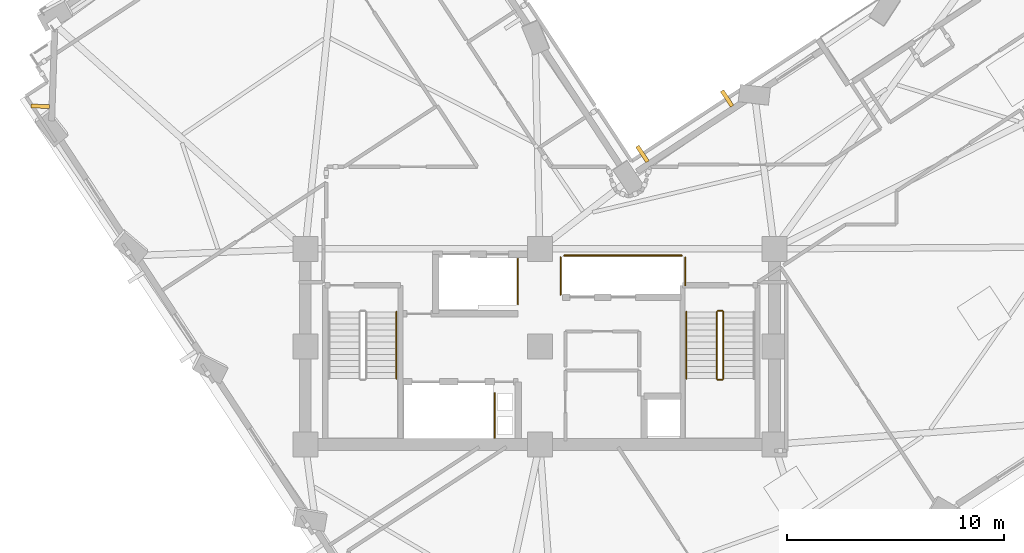
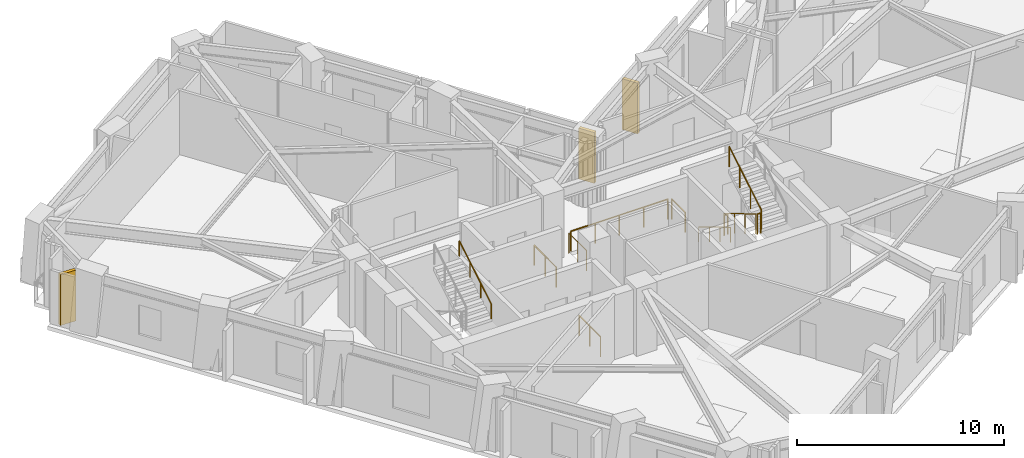
# One storey, part 11 of 14: 11 railings, 3 shading devices.
"""IFC4 building model written with IfcOpenShell, lengths in metres."""

from ifc_helpers import new_model, si_unit, direction, frame, origin, origin_2d, place, context, subcontext, project, spatial, rectangle, circle, extrude, material, type_object, element, save


model = new_model("IFC4")

# Units and contexts
model_context = context("Model", 3, precision=1e-05, world=origin(), true_north=direction((0.0, 1.0)))
body_context = subcontext(model_context, "Body", "Model", "MODEL_VIEW")
ifc_project = project(units=[si_unit("LENGTHUNIT", "METRE"), si_unit("AREAUNIT", "SQUARE_METRE"), si_unit("VOLUMEUNIT", "CUBIC_METRE"), si_unit("PLANEANGLEUNIT", "RADIAN"), si_unit("MASSUNIT", "GRAM", prefix="KILO")], contexts=[model_context])

# Site, building, storey
site_placement = place(None, origin())
site = spatial("IfcSite", under=ifc_project, at=site_placement, CompositionType="ELEMENT")
building_placement = place(site_placement, origin())
building = spatial("IfcBuilding", under=site, at=building_placement, Name="Gaonmaruhae Medical Tower", CompositionType="ELEMENT")
storey_placement = place(building_placement, frame((0.0, 0.0, 165.800048828125)))
storey = spatial("IfcBuildingStorey", under=building, at=storey_placement, Name="L39", CompositionType="ELEMENT", Elevation=165.800048828125)

# Railings
ifc_material_1 = material(Name="Stainless steel 304 handrail", Category="steel")
railing_type_1 = type_object("IfcRailingType", Name="HR-092 Continuous Stainless Steel Stair Handrail", PredefinedType="HANDRAIL", material=ifc_material_1)
railing_1_placement = place(storey_placement, frame((18.199951171875, 10.820068359375, 2.16650390625)))
element("IfcRailing", 1, at=railing_1_placement, inside=storey, type_object=railing_type_1, Name="L39 ST-01 stair handrail 2", PredefinedType="HANDRAIL", context=body_context, shape_type="SweptSolid", body=[
    extrude(circle(Radius=0.02392578125, at=origin_2d()), frame((0.0, 0.0, 0.8759765625), z_axis=(0.0, 0.859260807169, 0.511537745687), x_axis=(-1.0, 0.0, 0.0)), (0.0, 0.0, 1.0), 3.584228515625),
    extrude(circle(Radius=0.02099609375, at=origin_2d()), origin(), (0.0, 0.0, 1.0), 0.851806640625),
    extrude(circle(Radius=0.02099609375, at=origin_2d()), frame((0.0, 1.026611328125, 0.611083984375)), (0.0, 0.0, 1.0), 0.851806640625),
    extrude(circle(Radius=0.02099609375, at=origin_2d()), frame((0.0, 2.05322265625, 1.222412109375)), (0.0, 0.0, 1.0), 0.851806640625),
    extrude(circle(Radius=0.02099609375, at=origin_2d()), frame((0.0, 3.079833984375, 1.83349609375)), (0.0, 0.0, 1.0), 0.851806640625),
])
railing_2_placement = place(storey_placement, frame((31.550048828125, 13.89990234375, 0.16650390625)))
element("IfcRailing", 2, at=railing_2_placement, inside=storey, type_object=railing_type_1, Name="L39 ST-02 stair handrail 1", PredefinedType="HANDRAIL", context=body_context, shape_type="SweptSolid", body=[
    extrude(circle(Radius=0.02392578125, at=origin_2d()), frame((0.0, 0.0, 0.8759765625), z_axis=(0.0, -0.859260807169, 0.511537745687), x_axis=(1.0, 0.0, 0.0)), (0.0, 0.0, 1.0), 3.584228515625),
    extrude(circle(Radius=0.02099609375, at=origin_2d()), origin(), (0.0, 0.0, 1.0), 0.851806640625),
    extrude(circle(Radius=0.02099609375, at=origin_2d()), frame((0.0, -1.026611328125, 0.611083984375)), (0.0, 0.0, 1.0), 0.851806640625),
    extrude(circle(Radius=0.02099609375, at=origin_2d()), frame((0.0, -2.05322265625, 1.222412109375)), (0.0, 0.0, 1.0), 0.851806640625),
    extrude(circle(Radius=0.02099609375, at=origin_2d()), frame((0.0, -3.079833984375, 1.83349609375)), (0.0, 0.0, 1.0), 0.851806640625),
])

# Shading devices
ifc_material_2 = material(Name="Pigmented coral precast concrete C45/55", Category="concrete")
shading_device_type = type_object("IfcShadingDeviceType", Name="SD-FIN1 Tower Vertical Coral Precast Shading Fin", PredefinedType="USERDEFINED", material=ifc_material_2)
for number, where, z_axis, x_axis, name in (
    (3, (29.529541015625, 21.168701171875, 0.08251953125), (0.0, 0.0, 1.0), (0.836286155848, 0.54829322952, 0.0), "L39 Vertical Coral Precast Shading Fin EN03"),
    (4, (33.4267578125, 23.723876953125, 0.08251953125), (0.0, 0.0, 1.0), (0.836286155848, 0.54829322952, 0.0), "L39 Vertical Coral Precast Shading Fin EN03B"),
    (5, (1.795654296875, 23.365966796875, 0.08251953125), (0.0, 0.0, 1.0), (0.034341326154, 0.999410162705, 0.0), "L39 Vertical Coral Precast Shading Fin N03"),
):
    element("IfcShadingDevice", number, at=place(storey_placement, frame(where, z_axis=z_axis, x_axis=x_axis)), inside=storey, type_object=shading_device_type, Name=name, ObjectType="FIN", PredefinedType="USERDEFINED", context=body_context, shape_type="SweptSolid", body=[
        extrude(rectangle(XDim=0.179931640625, YDim=0.85009765625, at=origin_2d()), origin(), (0.0, 0.0, 1.0), 3.0),
    ])

# Railings
ifc_material_3 = material(Name="Stainless steel 304 balustrade", Category="steel")
railing_type_2 = type_object("IfcRailingType", Name="SG-112 Stair Well & Ramp Void Safety Balustrade", PredefinedType="BALUSTRADE", material=ifc_material_3)
railing_3_placement = place(storey_placement, frame((32.949951171875, 13.89990234375, 0.16650390625)))
element("IfcRailing", 6, at=railing_3_placement, inside=storey, type_object=railing_type_2, Name="L39 ST-02 stair guard 1", PredefinedType="BALUSTRADE", context=body_context, shape_type="SweptSolid", body=[
    extrude(circle(Radius=0.02392578125, at=origin_2d()), frame((0.0, 0.0, 1.17578125), z_axis=(0.0, -0.859260807169, 0.511537745687), x_axis=(1.0, 0.0, 0.0)), (0.0, 0.0, 1.0), 3.584228515625),
    extrude(circle(Radius=0.02099609375, at=origin_2d()), origin(), (0.0, 0.0, 1.0), 1.15185546875),
    extrude(circle(Radius=0.02099609375, at=origin_2d()), frame((0.0, -1.026611328125, 0.611083984375)), (0.0, 0.0, 1.0), 1.15185546875),
    extrude(circle(Radius=0.02099609375, at=origin_2d()), frame((0.0, -2.05322265625, 1.222412109375)), (0.0, 0.0, 1.0), 1.15185546875),
    extrude(circle(Radius=0.02099609375, at=origin_2d()), frame((0.0, -3.079833984375, 1.83349609375)), (0.0, 0.0, 1.0), 1.15185546875),
])
railing_4_placement = place(storey_placement, frame((33.0, 10.77001953125, 2.0)))
element("IfcRailing", 7, at=railing_4_placement, inside=storey, type_object=railing_type_2, Name="L39 ST-02 stair guard 2", PredefinedType="BALUSTRADE", context=body_context, shape_type="SweptSolid", body=[
    extrude(circle(Radius=0.02392578125, at=origin_2d()), frame((0.0, 0.0, 1.17578125), z_axis=(1.0, 0.0, 0.0), x_axis=(0.0, 1.0, 0.0)), (0.0, 0.0, 1.0), 0.199951171875),
    extrude(circle(Radius=0.02099609375, at=origin_2d()), origin(), (0.0, 0.0, 1.0), 1.15185546875),
    extrude(circle(Radius=0.02099609375, at=origin_2d()), frame((0.199951171875, 0.0, 0.0)), (0.0, 0.0, 1.0), 1.15185546875),
])
railing_5_placement = place(storey_placement, frame((33.25, 10.820068359375, 2.16650390625)))
element("IfcRailing", 8, at=railing_5_placement, inside=storey, type_object=railing_type_2, Name="L39 ST-02 stair guard 3", PredefinedType="BALUSTRADE", context=body_context, shape_type="SweptSolid", body=[
    extrude(circle(Radius=0.02392578125, at=origin_2d()), frame((0.0, 0.0, 1.17578125), z_axis=(0.0, 0.859260807169, 0.511537745687), x_axis=(-1.0, 0.0, 0.0)), (0.0, 0.0, 1.0), 3.584228515625),
    extrude(circle(Radius=0.02099609375, at=origin_2d()), origin(), (0.0, 0.0, 1.0), 1.15185546875),
    extrude(circle(Radius=0.02099609375, at=origin_2d()), frame((0.0, 1.026611328125, 0.611083984375)), (0.0, 0.0, 1.0), 1.15185546875),
    extrude(circle(Radius=0.02099609375, at=origin_2d()), frame((0.0, 2.05322265625, 1.222412109375)), (0.0, 0.0, 1.0), 1.15185546875),
    extrude(circle(Radius=0.02099609375, at=origin_2d()), frame((0.0, 3.079833984375, 1.83349609375)), (0.0, 0.0, 1.0), 1.15185546875),
])
railing_6_placement = place(storey_placement, frame((33.0, 13.949951171875, 0.0)))
element("IfcRailing", 9, at=railing_6_placement, inside=storey, type_object=railing_type_2, Name="L39 ST-02 stair guard 4", PredefinedType="BALUSTRADE", context=body_context, shape_type="SweptSolid", body=[
    extrude(circle(Radius=0.02392578125, at=origin_2d()), frame((0.0, 0.0, 1.17578125), z_axis=(1.0, 0.0, 0.0), x_axis=(0.0, 1.0, 0.0)), (0.0, 0.0, 1.0), 0.199951171875),
    extrude(circle(Radius=0.02099609375, at=origin_2d()), origin(), (0.0, 0.0, 1.0), 1.15185546875),
    extrude(circle(Radius=0.02099609375, at=origin_2d()), frame((0.199951171875, 0.0, 0.0)), (0.0, 0.0, 1.0), 1.15185546875),
])
railing_7_placement = place(storey_placement, frame((22.719970703125, 10.159912109375, 0.0)))
element("IfcRailing", 10, at=railing_7_placement, inside=storey, type_object=railing_type_2, Name="L39 Shaft Edge Safety Guard 10", PredefinedType="BALUSTRADE", context=body_context, shape_type="SweptSolid", body=[
    extrude(circle(Radius=0.02392578125, at=origin_2d()), frame((0.0, 0.0, 1.17578125), z_axis=(0.0, -1.0, 0.0), x_axis=(1.0, 0.0, 0.0)), (0.0, 0.0, 1.0), 2.06494140625),
    extrude(circle(Radius=0.02099609375, at=origin_2d()), origin(), (0.0, 0.0, 1.0), 1.15185546875),
    extrude(circle(Radius=0.02099609375, at=origin_2d()), frame((0.0, -1.032470703125, 0.0)), (0.0, 0.0, 1.0), 1.15185546875),
    extrude(circle(Radius=0.02099609375, at=origin_2d()), frame((0.0, -2.06494140625, 0.0)), (0.0, 0.0, 1.0), 1.15185546875),
])
railing_8_placement = place(storey_placement, frame((23.794921875, 16.35498046875, 0.0)))
element("IfcRailing", 11, at=railing_8_placement, inside=storey, type_object=railing_type_2, Name="L39 Shaft Edge Safety Guard 11", PredefinedType="BALUSTRADE", context=body_context, shape_type="SweptSolid", body=[
    extrude(circle(Radius=0.02392578125, at=origin_2d()), frame((0.0, 0.0, 1.17578125), z_axis=(0.0, -1.0, 0.0), x_axis=(1.0, 0.0, 0.0)), (0.0, 0.0, 1.0), 2.10986328125),
    extrude(circle(Radius=0.02099609375, at=origin_2d()), origin(), (0.0, 0.0, 1.0), 1.15185546875),
    extrude(circle(Radius=0.02099609375, at=origin_2d()), frame((0.0, -1.054931640625, 0.0)), (0.0, 0.0, 1.0), 1.15185546875),
    extrude(circle(Radius=0.02099609375, at=origin_2d()), frame((0.0, -2.10986328125, 0.0)), (0.0, 0.0, 1.0), 1.15185546875),
])
railing_9_placement = place(storey_placement, frame((31.4951171875, 16.405029296875, 0.0)))
element("IfcRailing", 12, at=railing_9_placement, inside=storey, type_object=railing_type_2, Name="L39 Shaft Edge Safety Guard 12", PredefinedType="BALUSTRADE", context=body_context, shape_type="SweptSolid", body=[
    extrude(circle(Radius=0.02392578125, at=origin_2d()), frame((0.0, 0.0, 1.17578125), z_axis=(0.0, -1.0, 0.0), x_axis=(1.0, 0.0, 0.0)), (0.0, 0.0, 1.0), 1.284912109375),
    extrude(circle(Radius=0.02099609375, at=origin_2d()), origin(), (0.0, 0.0, 1.0), 1.15185546875),
    extrude(circle(Radius=0.02099609375, at=origin_2d()), frame((0.0, -1.284912109375, 0.0)), (0.0, 0.0, 1.0), 1.15185546875),
])
railing_10_placement = place(storey_placement, frame((25.7548828125, 14.695068359375, 0.0)))
element("IfcRailing", 13, at=railing_10_placement, inside=storey, type_object=railing_type_2, Name="L39 Shaft Edge Safety Guard 13", PredefinedType="BALUSTRADE", context=body_context, shape_type="SweptSolid", body=[
    extrude(circle(Radius=0.02392578125, at=origin_2d()), frame((0.0, 0.0, 1.17578125), z_axis=(0.0, 1.0, 0.0), x_axis=(-1.0, 0.0, 0.0)), (0.0, 0.0, 1.0), 1.7099609375),
    extrude(circle(Radius=0.02099609375, at=origin_2d()), origin(), (0.0, 0.0, 1.0), 1.15185546875),
    extrude(circle(Radius=0.02099609375, at=origin_2d()), frame((0.0, 0.85498046875, 0.0)), (0.0, 0.0, 1.0), 1.15185546875),
    extrude(circle(Radius=0.02099609375, at=origin_2d()), frame((0.0, 1.7099609375, 0.0)), (0.0, 0.0, 1.0), 1.15185546875),
])
railing_11_placement = place(storey_placement, frame((25.919921875, 16.4951171875, 0.0)))
element("IfcRailing", 14, at=railing_11_placement, inside=storey, type_object=railing_type_2, Name="L39 Shaft Edge Safety Guard 14", PredefinedType="BALUSTRADE", context=body_context, shape_type="SweptSolid", body=[
    extrude(circle(Radius=0.02392578125, at=origin_2d()), frame((0.0, 0.0, 1.17578125), z_axis=(1.0, 0.0, 0.0), x_axis=(0.0, 1.0, 0.0)), (0.0, 0.0, 1.0), 5.41015625),
    extrude(circle(Radius=0.02099609375, at=origin_2d()), origin(), (0.0, 0.0, 1.0), 1.15185546875),
    extrude(circle(Radius=0.02099609375, at=origin_2d()), frame((1.3525390625, 0.0, 0.0)), (0.0, 0.0, 1.0), 1.15185546875),
    extrude(circle(Radius=0.02099609375, at=origin_2d()), frame((2.705078125, 0.0, 0.0)), (0.0, 0.0, 1.0), 1.15185546875),
    extrude(circle(Radius=0.02099609375, at=origin_2d()), frame((4.0576171875, 0.0, 0.0)), (0.0, 0.0, 1.0), 1.15185546875),
    extrude(circle(Radius=0.02099609375, at=origin_2d()), frame((5.41015625, 0.0, 0.0)), (0.0, 0.0, 1.0), 1.15185546875),
])

save(model, "model.ifc")
